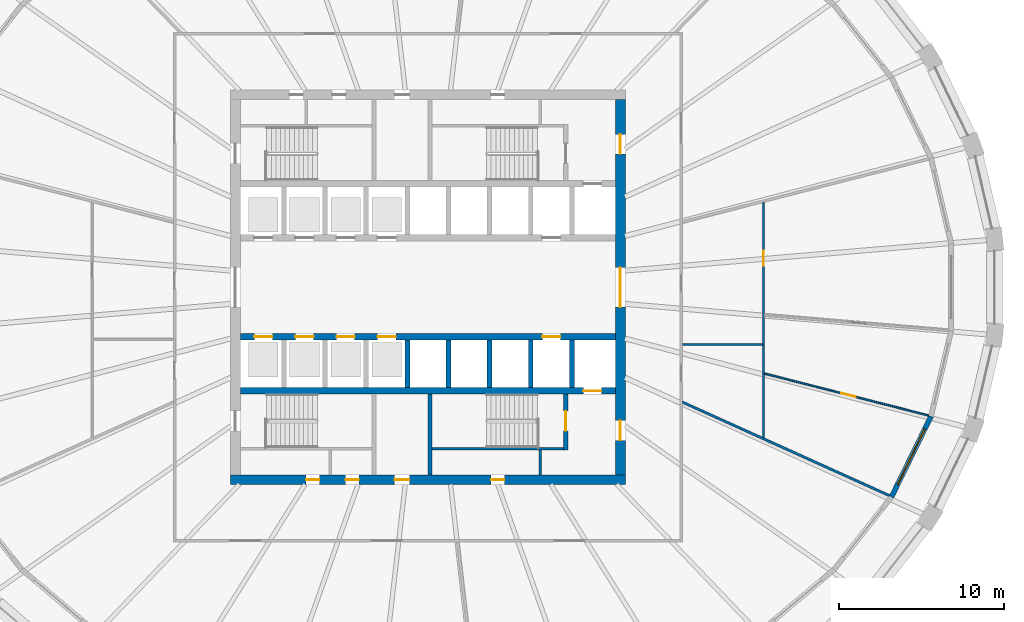
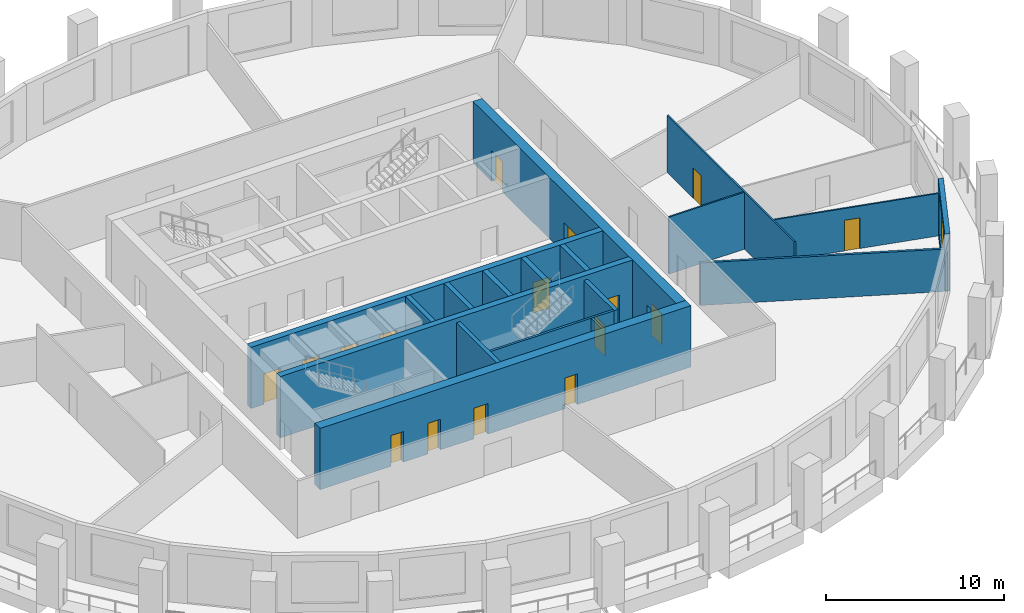
# One storey, part 4 of 10: 18 walls, 16 doors, 1 window, 17 openings.
"""IFC4 building model written with IfcOpenShell, lengths in metres."""

import ifcopenshell
import ifcopenshell.guid

model = None  # the IFC model being written
_history = None  # IfcOwnerHistory: only IFC2X3 demands one
_inside = {}  # id of a spatial element -> (the spatial element, [elements in it])
_under = {}  # id of a project, library or spatial element -> (it, [spatial elements below it])
_declared = {}  # id of a project -> (the project, [libraries it declares])
_typed = {}  # id of a type object -> (the type object, [elements of that type])
_made_of = {}  # id of a material, layer set ... -> (it, [elements and type objects made of it])


def new_model(schema):
    """Start an empty IFC model of exactly this schema.

    Asked for "IFC4X3", IfcOpenShell would pick the latest addendum, in which some entities
    have other attributes; the version numbers below select the first issue.
    IFC2X3 requires an IfcOwnerHistory on every rooted entity: one is made here for all.
    """
    global model, _history
    if schema == "IFC4X3":
        model = ifcopenshell.file(schema_version=(4, 3, 0, 0))
    else:
        model = ifcopenshell.file(schema=schema)
    _inside.clear()
    _under.clear()
    _declared.clear()
    _typed.clear()
    _made_of.clear()
    _history = None
    if model.schema == "IFC2X3":
        org = make("IfcOrganization", Name="unknown")
        user = make(
            "IfcPersonAndOrganization",
            ThePerson=make("IfcPerson", FamilyName="unknown"),
            TheOrganization=org,
        )
        app = make(
            "IfcApplication",
            ApplicationDeveloper=org,
            Version="unknown",
            ApplicationFullName="unknown",
            ApplicationIdentifier="unknown",
        )
        _history = make(
            "IfcOwnerHistory",
            OwningUser=user,
            OwningApplication=app,
            ChangeAction="ADDED",
            CreationDate=0,
        )
    return model


def make(cls, **values):
    """One entity of the class cls with the attributes given. An attribute that is None is left unset."""
    return model.create_entity(
        cls, **{name: value for name, value in values.items() if value is not None}
    )


def rooted(cls, **values):
    """An entity with a GlobalId (a new one), such as an element, a storey or a relation."""
    return make(cls, GlobalId=ifcopenshell.guid.new(), OwnerHistory=_history, **values)


def si_unit(unit_type, name, prefix=None):
    """IfcSIUnit, for example si_unit("LENGTHUNIT", "METRE", prefix="MILLI")."""
    return make("IfcSIUnit", UnitType=unit_type, Prefix=prefix, Name=name)


def assignment(units):
    """IfcUnitAssignment: the units of a project."""
    return None if units is None else make("IfcUnitAssignment", Units=units)


def point(xyz):
    """IfcCartesianPoint."""
    return None if xyz is None else make("IfcCartesianPoint", Coordinates=xyz)


def direction(xyz):
    """IfcDirection."""
    return None if xyz is None else make("IfcDirection", DirectionRatios=xyz)


def frame(location, z_axis=None, x_axis=None):
    """IfcAxis2Placement3D, a coordinate frame: its origin and axes. An axis left out is left unset."""
    return make(
        "IfcAxis2Placement3D",
        Location=point(location),
        Axis=direction(z_axis),
        RefDirection=direction(x_axis),
    )


def frame_2d(location, x_axis=None):
    """IfcAxis2Placement2D, a coordinate frame in the plane: its origin and x axis."""
    return make(
        "IfcAxis2Placement2D", Location=point(location), RefDirection=direction(x_axis)
    )


def origin():
    """The frame at (0, 0, 0) with its axes left unset."""
    return frame((0.0, 0.0, 0.0))


def place(relative_to, where):
    """IfcLocalPlacement: puts the frame where relative to a parent placement (None: the world)."""
    return make(
        "IfcLocalPlacement", PlacementRelTo=relative_to, RelativePlacement=where
    )


def context(
    kind, dimensions, precision=None, world=None, true_north=None, identifier=None
):
    """IfcGeometricRepresentationContext, for example the 3D "Model" context."""
    return make(
        "IfcGeometricRepresentationContext",
        ContextIdentifier=identifier,
        ContextType=kind,
        CoordinateSpaceDimension=dimensions,
        Precision=precision,
        WorldCoordinateSystem=world,
        TrueNorth=true_north,
    )


def subcontext(parent, identifier, kind, view, scale=None):
    """IfcGeometricRepresentationSubContext, for example "Body" below "Model"."""
    return make(
        "IfcGeometricRepresentationSubContext",
        ContextIdentifier=identifier,
        ContextType=kind,
        ParentContext=parent,
        TargetScale=scale,
        TargetView=view,
    )


def project(units=None, contexts=None):
    """IfcProject with its units and contexts."""
    return rooted(
        "IfcProject",
        Name="project",
        RepresentationContexts=contexts,
        UnitsInContext=assignment(units),
    )


def spatial(cls, under=None, at=None, **own):
    """A site, building, storey or space (cls), placed at a placement, below another one or the project."""
    s = rooted(cls, ObjectPlacement=at, **own)
    if under is not None:
        _under.setdefault(under.id(), (under, []))[1].append(s)
    return s


def polyline(points):
    """IfcPolyline through the points."""
    return make("IfcPolyline", Points=[point(p) for p in points])


def profile(cls, at=None, kind="AREA", **sizes):
    """A parametric profile (cls). Its sizes go by their IFC names, for example OverallWidth=200.0."""
    return make(cls, ProfileType=kind, Position=at, **sizes)


def rectangle(**sizes):
    """IfcRectangleProfileDef."""
    return profile("IfcRectangleProfileDef", **sizes)


def outline(outer, holes=None, kind="AREA"):
    """IfcArbitraryClosedProfileDef: a profile drawn as a closed curve; with holes, ...WithVoids."""
    if holes is None:
        return make("IfcArbitraryClosedProfileDef", ProfileType=kind, OuterCurve=outer)
    return make(
        "IfcArbitraryProfileDefWithVoids",
        ProfileType=kind,
        OuterCurve=outer,
        InnerCurves=holes,
    )


def extrude(swept, where, along, depth):
    """IfcExtrudedAreaSolid: the profile swept, set in the frame where, extruded along a direction by depth."""
    return make(
        "IfcExtrudedAreaSolid",
        SweptArea=swept,
        Position=where,
        ExtrudedDirection=direction(along),
        Depth=depth,
    )


def shape(context_of_items, identifier, shape_type, items):
    """IfcShapeRepresentation: the items that make up one representation, for example the "Body"."""
    return make(
        "IfcShapeRepresentation",
        ContextOfItems=context_of_items,
        RepresentationIdentifier=identifier,
        RepresentationType=shape_type,
        Items=items,
    )


def material(Name=None, Category=None):
    """IfcMaterial."""
    return make("IfcMaterial", Name=Name, Category=Category)


def layer(
    of_material, thickness, ventilated=None, Name=None, Category=None, Priority=None
):
    """IfcMaterialLayer: one layer of a wall or slab, of a material (None: an air gap)."""
    return make(
        "IfcMaterialLayer",
        Material=of_material,
        LayerThickness=thickness,
        IsVentilated=ventilated,
        Name=Name,
        Category=Category,
        Priority=Priority,
    )


def layer_set(layers, Name=None):
    """IfcMaterialLayerSet."""
    return make("IfcMaterialLayerSet", MaterialLayers=layers, LayerSetName=Name)


def made_of(thing, what):
    """Note that an element or type object is made of a material, layer set ...; save() writes the relation."""
    if what is not None:
        _made_of.setdefault(what.id(), (what, []))[1].append(thing)
    return thing


def type_object(cls, material=None, **own):
    """A type object (cls), such as IfcWallType, which elements share."""
    return made_of(rooted(cls, **own), material)


def element(
    cls,
    number,
    at=None,
    inside=None,
    cuts=None,
    type_object=None,
    material=None,
    context=None,
    identifier="Body",
    shape_type=None,
    held_by="IfcProductDefinitionShape",
    body=None,
    shapes=None,
    **own,
):
    """One element of the class cls, such as IfcWall. Its Tag is "e" and its number.

    at: its placement. inside: the storey or other place that contains it. cuts: it is an
    opening in that element (IfcRelVoidsElement). A single representation is given by context,
    identifier, shape_type and body (its items); several are given by shapes. held_by: the class
    of the entity that holds the representations. save() writes the other relations.
    """
    e = rooted(cls, Tag="e%d" % number, ObjectPlacement=at, **own)
    if body is not None:
        shapes = [shape(context, identifier, shape_type, body)]
    if shapes is not None:
        e.Representation = make(held_by, Representations=shapes)
    if inside is not None:
        _inside.setdefault(inside.id(), (inside, []))[1].append(e)
    if cuts is not None:
        rooted(
            "IfcRelVoidsElement", RelatingBuildingElement=cuts, RelatedOpeningElement=e
        )
    if type_object is not None:
        _typed.setdefault(type_object.id(), (type_object, []))[1].append(e)
    return made_of(e, material)


def fill(opening, filler):
    """IfcRelFillsElement: the door or window that sits in an opening."""
    return rooted(
        "IfcRelFillsElement",
        RelatingOpeningElement=opening,
        RelatedBuildingElement=filler,
    )


def aggregate(whole, parts):
    """IfcRelAggregates: a whole, such as a stair, and the parts it consists of."""
    return rooted("IfcRelAggregates", RelatingObject=whole, RelatedObjects=parts)


def save(model, path):
    """Write the relations noted so far, then the file.

    IfcRelAggregates (storeys below a building ...), IfcRelContainedInSpatialStructure (elements
    in a storey), IfcRelDefinesByType, IfcRelAssociatesMaterial and IfcRelDeclares: one each for
    every whole, place, type object, material and project.
    """
    for whole, parts in _under.values():
        aggregate(whole, parts)
    for where, things in _inside.values():
        rooted(
            "IfcRelContainedInSpatialStructure",
            RelatedElements=things,
            RelatingStructure=where,
        )
    for kind, things in _typed.values():
        rooted("IfcRelDefinesByType", RelatedObjects=things, RelatingType=kind)
    for what, things in _made_of.values():
        rooted("IfcRelAssociatesMaterial", RelatedObjects=things, RelatingMaterial=what)
    for by, libraries in _declared.values():
        rooted("IfcRelDeclares", RelatingContext=by, RelatedDefinitions=libraries)
    model.write(path)


model = new_model("IFC4")

# Units and contexts
model_context = context("Model", 3, precision=1e-05, world=origin(), true_north=direction((0.0, 1.0)))
body_context = subcontext(model_context, "Body", "Model", "MODEL_VIEW")
ifc_project = project(units=[si_unit("LENGTHUNIT", "METRE"), si_unit("AREAUNIT", "SQUARE_METRE"), si_unit("VOLUMEUNIT", "CUBIC_METRE"), si_unit("PLANEANGLEUNIT", "RADIAN"), si_unit("MASSUNIT", "GRAM", prefix="KILO")], contexts=[model_context])

# Site, building, storey
site_placement = place(None, origin())
site = spatial("IfcSite", under=ifc_project, at=site_placement, CompositionType="ELEMENT")
building_placement = place(site_placement, origin())
building = spatial("IfcBuilding", under=site, at=building_placement, Name="Halqa Exchange Tower", CompositionType="ELEMENT")
storey_placement = place(building_placement, frame((0.0, 0.0, 129.699951171875)))
storey = spatial("IfcBuildingStorey", under=building, at=storey_placement, Name="L29", CompositionType="ELEMENT", Elevation=129.699951171875)

# Walls
ifc_material_1 = material(Name="Fire-rated gypsum board")
ifc_layer_1 = layer(ifc_material_1, 0.14990234375)
ifc_layer_set_1 = layer_set([ifc_layer_1], Name="Fire-rated gypsum board")
wall_type_1 = type_object("IfcWallType", Name="Fire partition EI 60 150", PredefinedType="PARTITIONING", material=ifc_layer_set_1)
wall_1_placement = place(storey_placement, frame((15.444091796875, -6.969970703125, 0.0), z_axis=(0.0, 0.0, 1.0), x_axis=(0.911352660786, -0.411626441909, 0.0)))
element("IfcWall", 1, at=wall_1_placement, inside=storey, type_object=wall_type_1, Name="L29-PWL-014", PredefinedType="PARTITIONING", context=body_context, shape_type="SweptSolid", body=[
    extrude(outline(polyline([(0.06787109375, -0.074951171875), (2.03125, -0.074951171875), (3.994873046875, -0.074951171875), (5.958251953125, -0.074951171875), (7.921875, -0.074951171875), (9.885498046875, -0.074951171875), (11.848876953125, -0.074951171875), (13.8125, -0.074951171875), (13.83154296875, 0.0009765625), (13.833740234375, 0.073974609375), (13.833740234375, 0.074951171875), (12.137451171875, 0.074951171875), (10.44140625, 0.074951171875), (8.7451171875, 0.074951171875), (7.049072265625, 0.074951171875), (5.352783203125, 0.074951171875), (5.349853515625, 0.07373046875), (5.349365234375, 0.074951171875), (3.566162109375, 0.074951171875), (1.783203125, 0.074951171875), (0.0, 0.074951171875), (0.06787109375, -0.074951171875)])), origin(), (0.0, 0.0, 1.0), 2.91015625),
])
ifc_material_2 = material(Name="Gypsum board")
ifc_layer_2 = layer(ifc_material_2, 0.10009765625)
ifc_layer_set_2 = layer_set([ifc_layer_2], Name="Gypsum board")
wall_type_2 = type_object("IfcWallType", Name="Partition 100 gypsum", PredefinedType="PARTITIONING", material=ifc_layer_set_2)
wall_2_placement = place(storey_placement, frame((15.47509765625, -3.47998046875, 0.0), z_axis=(0.0, 0.0, 1.0), x_axis=(1.0, 0.0, 0.0)))
element("IfcWall", 2, at=wall_2_placement, inside=storey, type_object=wall_type_2, Name="L29-PWL-015", PredefinedType="PARTITIONING", context=body_context, shape_type="SweptSolid", body=[
    extrude(rectangle(XDim=4.875, YDim=0.10009765625, at=frame_2d((2.4375, 0.0))), origin(), (0.0, 0.0, 1.0), 3.900146484375),
])

# Wall, opening, door
wall_3_placement = place(storey_placement, frame((20.39990234375, -9.1484375, 0.0), z_axis=(0.0, 0.0, 1.0), x_axis=(0.0, 1.0, 0.0)))
wall_3 = element("IfcWall", 3, at=wall_3_placement, inside=storey, type_object=wall_type_2, Name="L29-PWL-018", PredefinedType="PARTITIONING", context=body_context, shape_type="SweptSolid", body=[
    extrude(outline(polyline([(0.0, -0.050048828125), (1.927001953125, -0.050048828125), (3.85400390625, -0.050048828125), (3.8544921875, -0.04833984375), (3.861328125, -0.050048828125), (5.603271484375, -0.050048828125), (7.344970703125, -0.050048828125), (9.086669921875, -0.050048828125), (10.828369140625, -0.050048828125), (12.5703125, -0.050048828125), (14.31201171875, -0.050048828125), (14.31201171875, -0.048828125), (14.286865234375, 0.050048828125), (12.572998046875, 0.050048828125), (10.859375, 0.050048828125), (9.145751953125, 0.050048828125), (7.43212890625, 0.050048828125), (5.718505859375, 0.050048828125), (5.718505859375, 0.0498046875), (5.618408203125, 0.0498046875), (5.618408203125, 0.050048828125), (3.7607421875, 0.050048828125), (1.90283203125, 0.050048828125), (0.044921875, 0.050048828125), (0.0, -0.049560546875), (0.0, -0.050048828125)])), origin(), (0.0, 0.0, 1.0), 3.900146484375),
])
opening_1_placement = place(wall_3_placement, frame((10.46337890625, 0.0, 0.0)))
opening_1 = element("IfcOpeningElement", 4, at=opening_1_placement, cuts=wall_3, Name="Opening 09-13", PredefinedType="OPENING", context=body_context, shape_type="SweptSolid", body=[
    extrude(rectangle(XDim=0.89990234375, YDim=2.10009765625, at=frame_2d((0.449951171875, 1.050048828125))), frame((0.0, 0.06201171875, 0.0), z_axis=(0.0, -1.0, 0.0), x_axis=(1.0, 0.0, 0.0)), (0.0, 0.0, 1.0), 0.1240234375),
])
ifc_material_3 = material(Name="Timber door leaf", Category="wood")
door_type_1 = type_object("IfcDoorType", Name="Door 900 x 2100", OperationType="SINGLE_SWING_LEFT", PredefinedType="DOOR", material=ifc_material_3)
door_1_placement = place(opening_1_placement, origin())
door_1 = element("IfcDoor", 5, at=door_1_placement, inside=storey, type_object=door_type_1, Name="L29-IDR-013", OperationType="SINGLE_SWING_LEFT", OverallHeight=2.10009765625, OverallWidth=0.89990234375, PredefinedType="DOOR", context=body_context, shape_type="SweptSolid", body=[
    extrude(rectangle(XDim=0.89990234375, YDim=2.10009765625, at=frame_2d((0.449951171875, 1.050048828125))), frame((0.0, 0.02490234375, 0.0), z_axis=(0.0, -1.0, 0.0), x_axis=(1.0, 0.0, 0.0)), (0.0, 0.0, 1.0), 0.050048828125),
])
fill(opening_1, door_1)

wall_4_placement = place(storey_placement, frame((20.437744140625, -5.23974609375, 0.0), z_axis=(0.0, 0.0, 1.0), x_axis=(0.968862785912, -0.247598267511, 0.0)))
wall_4 = element("IfcWall", 6, at=wall_4_placement, inside=storey, type_object=wall_type_2, Name="L29-PWL-019", PredefinedType="PARTITIONING", context=body_context, shape_type="SweptSolid", body=[
    extrude(outline(polyline([(0.025390625, -0.050048828125), (1.739501953125, -0.050048828125), (3.45361328125, -0.050048828125), (5.167724609375, -0.050048828125), (6.8818359375, -0.050048828125), (8.595947265625, -0.050048828125), (10.31005859375, -0.050048828125), (10.31884765625, -0.00830078125), (10.31884765625, 0.050048828125), (8.59912109375, 0.050048828125), (6.879150390625, 0.050048828125), (5.159423828125, 0.050048828125), (3.439697265625, 0.050048828125), (1.7197265625, 0.050048828125), (0.0, 0.050048828125), (0.0, 0.049560546875), (0.025390625, -0.050048828125)])), origin(), (0.0, 0.0, 1.0), 2.91015625),
])
opening_2_placement = place(wall_4_placement, frame((4.842041015625, 0.0, 0.0)))
opening_2 = element("IfcOpeningElement", 7, at=opening_2_placement, cuts=wall_4, Name="Opening 09-15", PredefinedType="OPENING", context=body_context, shape_type="SweptSolid", body=[
    extrude(rectangle(XDim=0.89990234375, YDim=2.10009765625, at=frame_2d((0.449951171875, 1.050048828125))), frame((0.0, 0.06201171875, 0.0), z_axis=(0.0, -1.0, 0.0), x_axis=(1.0, 0.0, 0.0)), (0.0, 0.0, 1.0), 0.1240234375),
])
door_2_placement = place(opening_2_placement, frame((0.89990234375, 0.0, 0.0), z_axis=(0.0, 0.0, 1.0), x_axis=(-1.0, 0.0, 0.0)))
door_2 = element("IfcDoor", 8, at=door_2_placement, inside=storey, type_object=door_type_1, Name="L29-IDR-015", OperationType="SINGLE_SWING_LEFT", OverallHeight=2.10009765625, OverallWidth=0.89990234375, PredefinedType="DOOR", context=body_context, shape_type="SweptSolid", body=[
    extrude(rectangle(XDim=0.89990234375, YDim=2.10009765625, at=frame_2d((0.449951171875, 1.050048828125))), frame((0.0, 0.02490234375, 0.0), z_axis=(0.0, -1.0, 0.0), x_axis=(1.0, 0.0, 0.0)), (0.0, 0.0, 1.0), 0.050048828125),
])
fill(opening_2, door_2)

# Walls
ifc_layer_3 = layer(ifc_material_2, 0.14990234375)
ifc_layer_set_3 = layer_set([ifc_layer_3], Name="Gypsum board")
wall_type_3 = type_object("IfcWallType", Name="Penthouse riser wall 150 gypsum", PredefinedType="PARTITIONING", material=ifc_layer_set_3)
wall_5_placement = place(storey_placement, frame((6.824951171875, -11.39990234375, 0.0), z_axis=(0.0, 0.0, 1.0), x_axis=(0.0, 1.0, 0.0)))
element("IfcWall", 9, at=wall_5_placement, inside=storey, type_object=wall_type_3, Name="Firefighting lobby west wall S", PredefinedType="PARTITIONING", context=body_context, shape_type="SweptSolid", body=[
    extrude(rectangle(XDim=1.5, YDim=0.14990234375, at=frame_2d((0.75, 0.0))), origin(), (0.0, 0.0, 1.0), 3.900146484375),
])
ifc_material_4 = material(Name="Concrete C60/75", Category="concrete")
ifc_layer_4 = layer(ifc_material_4, 0.300048828125)
ifc_layer_set_4 = layer_set([ifc_layer_4], Name="Concrete C60/75")
wall_type_4 = type_object("IfcWallType", Name="RC core wall 300", PredefinedType="SHEAR", material=ifc_layer_set_4)
for number, where, z_axis, x_axis, name in (
    (10, (-1.25, -6.10009765625, 0.0), (0.0, 0.0, 1.0), (0.0, 1.0, 0.0), "Shaft divider S4"),
    (11, (1.25, -6.10009765625, 0.0), (0.0, 0.0, 1.0), (0.0, 1.0, 0.0), "Shaft divider S5"),
    (12, (3.75, -6.10009765625, 0.0), (0.0, 0.0, 1.0), (0.0, 1.0, 0.0), "Shaft divider S6"),
    (13, (6.25, -6.10009765625, 0.0), (0.0, 0.0, 1.0), (0.0, 1.0, 0.0), "Shaft divider S7"),
    (14, (8.75, -6.10009765625, 0.0), (0.0, 0.0, 1.0), (0.0, 1.0, 0.0), "Shaft divider S8"),
):
    element("IfcWall", number, at=place(storey_placement, frame(where, z_axis=z_axis, x_axis=x_axis)), inside=storey, type_object=wall_type_4, Name=name, PredefinedType="SHEAR", context=body_context, shape_type="SweptSolid", body=[
        extrude(rectangle(XDim=2.900146484375, YDim=0.300048828125, at=frame_2d((1.4501953125, 0.0))), origin(), (0.0, 0.0, 1.0), 4.199951171875),
    ])

# Wall, openings, doors
ifc_material_5 = material(Name="Concrete C70/85", Category="concrete")
ifc_layer_5 = layer(ifc_material_5, 0.39990234375)
ifc_layer_set_5 = layer_set([ifc_layer_5], Name="Concrete C70/85")
wall_type_5 = type_object("IfcWallType", Name="RC core wall 400 C70/85", PredefinedType="SHEAR", material=ifc_layer_set_5)
wall_6_placement = place(storey_placement, frame((-11.39990234375, -3.0, 0.0), z_axis=(0.0, 0.0, 1.0), x_axis=(1.0, 0.0, 0.0)))
wall_6 = element("IfcWall", 15, at=wall_6_placement, inside=storey, type_object=wall_type_5, Name="Lift row front wall S", PredefinedType="SHEAR", context=body_context, shape_type="SweptSolid", body=[
    extrude(rectangle(XDim=22.7998046875, YDim=0.39990234375, at=frame_2d((11.39990234375, 0.0))), origin(), (0.0, 0.0, 1.0), 4.199951171875),
])
opening_3_placement = place(wall_6_placement, frame((0.85009765625, 0.0, 0.0)))
opening_3 = element("IfcOpeningElement", 16, at=opening_3_placement, cuts=wall_6, Name="Opening LD-LR5-T09", PredefinedType="OPENING", context=body_context, shape_type="SweptSolid", body=[
    extrude(rectangle(XDim=1.10009765625, YDim=2.10009765625, at=frame_2d((0.550048828125, 1.050048828125))), frame((0.0, 0.2119140625, 0.0), z_axis=(0.0, -1.0, 0.0), x_axis=(1.0, 0.0, 0.0)), (0.0, 0.0, 1.0), 0.423828125),
])
opening_4_placement = place(wall_6_placement, frame((3.35009765625, 0.0, 0.0)))
opening_4 = element("IfcOpeningElement", 17, at=opening_4_placement, cuts=wall_6, Name="Opening LD-LR6-T09", PredefinedType="OPENING", context=body_context, shape_type="SweptSolid", body=[
    extrude(rectangle(XDim=1.10009765625, YDim=2.10009765625, at=frame_2d((0.550048828125, 1.050048828125))), frame((0.0, 0.2119140625, 0.0), z_axis=(0.0, -1.0, 0.0), x_axis=(1.0, 0.0, 0.0)), (0.0, 0.0, 1.0), 0.423828125),
])
opening_5_placement = place(wall_6_placement, frame((5.85009765625, 0.0, 0.0)))
opening_5 = element("IfcOpeningElement", 18, at=opening_5_placement, cuts=wall_6, Name="Opening LD-LR7-T09", PredefinedType="OPENING", context=body_context, shape_type="SweptSolid", body=[
    extrude(rectangle(XDim=1.10009765625, YDim=2.10009765625, at=frame_2d((0.550048828125, 1.050048828125))), frame((0.0, 0.2119140625, 0.0), z_axis=(0.0, -1.0, 0.0), x_axis=(1.0, 0.0, 0.0)), (0.0, 0.0, 1.0), 0.423828125),
])
opening_6_placement = place(wall_6_placement, frame((8.35009765625, 0.0, 0.0)))
opening_6 = element("IfcOpeningElement", 19, at=opening_6_placement, cuts=wall_6, Name="Opening LD-LR8-T09", PredefinedType="OPENING", context=body_context, shape_type="SweptSolid", body=[
    extrude(rectangle(XDim=1.10009765625, YDim=2.10009765625, at=frame_2d((0.550048828125, 1.050048828125))), frame((0.0, 0.2119140625, 0.0), z_axis=(0.0, -1.0, 0.0), x_axis=(1.0, 0.0, 0.0)), (0.0, 0.0, 1.0), 0.423828125),
])
opening_7_placement = place(wall_6_placement, frame((18.35009765625, 0.0, 0.0)))
opening_7 = element("IfcOpeningElement", 20, at=opening_7_placement, cuts=wall_6, Name="Opening LD-SV2-T09", PredefinedType="OPENING", context=body_context, shape_type="SweptSolid", body=[
    extrude(rectangle(XDim=1.10009765625, YDim=2.10009765625, at=frame_2d((0.550048828125, 1.050048828125))), frame((0.0, 0.2119140625, 0.0), z_axis=(0.0, -1.0, 0.0), x_axis=(1.0, 0.0, 0.0)), (0.0, 0.0, 1.0), 0.423828125),
])
ifc_material_6 = material(Name="Stainless steel", Category="steel")
door_type_2 = type_object("IfcDoorType", Name="Lift landing door 1100 x 2100", OperationType="SLIDING_TO_LEFT", PredefinedType="DOOR", material=ifc_material_6)
door_3_placement = place(opening_3_placement, origin())
door_3 = element("IfcDoor", 21, at=door_3_placement, inside=storey, type_object=door_type_2, Name="Lift landing door LR5", OperationType="SLIDING_TO_LEFT", OverallHeight=2.10009765625, OverallWidth=1.10009765625, PredefinedType="DOOR", context=body_context, shape_type="SweptSolid", body=[
    extrude(rectangle(XDim=1.10009765625, YDim=2.10009765625, at=frame_2d((0.550048828125, 1.050048828125))), frame((0.0, 0.02490234375, 0.0), z_axis=(0.0, -1.0, 0.0), x_axis=(1.0, 0.0, 0.0)), (0.0, 0.0, 1.0), 0.050048828125),
])
fill(opening_3, door_3)
door_4_placement = place(opening_4_placement, origin())
door_4 = element("IfcDoor", 22, at=door_4_placement, inside=storey, type_object=door_type_2, Name="Lift landing door LR6", OperationType="SLIDING_TO_LEFT", OverallHeight=2.10009765625, OverallWidth=1.10009765625, PredefinedType="DOOR", context=body_context, shape_type="SweptSolid", body=[
    extrude(rectangle(XDim=1.10009765625, YDim=2.10009765625, at=frame_2d((0.550048828125, 1.050048828125))), frame((0.0, 0.02490234375, 0.0), z_axis=(0.0, -1.0, 0.0), x_axis=(1.0, 0.0, 0.0)), (0.0, 0.0, 1.0), 0.050048828125),
])
fill(opening_4, door_4)
door_5_placement = place(opening_5_placement, origin())
door_5 = element("IfcDoor", 23, at=door_5_placement, inside=storey, type_object=door_type_2, Name="Lift landing door LR7", OperationType="SLIDING_TO_LEFT", OverallHeight=2.10009765625, OverallWidth=1.10009765625, PredefinedType="DOOR", context=body_context, shape_type="SweptSolid", body=[
    extrude(rectangle(XDim=1.10009765625, YDim=2.10009765625, at=frame_2d((0.550048828125, 1.050048828125))), frame((0.0, 0.02490234375, 0.0), z_axis=(0.0, -1.0, 0.0), x_axis=(1.0, 0.0, 0.0)), (0.0, 0.0, 1.0), 0.050048828125),
])
fill(opening_5, door_5)
door_6_placement = place(opening_6_placement, origin())
door_6 = element("IfcDoor", 24, at=door_6_placement, inside=storey, type_object=door_type_2, Name="Lift landing door LR8", OperationType="SLIDING_TO_LEFT", OverallHeight=2.10009765625, OverallWidth=1.10009765625, PredefinedType="DOOR", context=body_context, shape_type="SweptSolid", body=[
    extrude(rectangle(XDim=1.10009765625, YDim=2.10009765625, at=frame_2d((0.550048828125, 1.050048828125))), frame((0.0, 0.02490234375, 0.0), z_axis=(0.0, -1.0, 0.0), x_axis=(1.0, 0.0, 0.0)), (0.0, 0.0, 1.0), 0.050048828125),
])
fill(opening_6, door_6)
door_7_placement = place(opening_7_placement, origin())
door_7 = element("IfcDoor", 25, at=door_7_placement, inside=storey, type_object=door_type_2, Name="Lift landing door SV2", OperationType="SLIDING_TO_LEFT", OverallHeight=2.10009765625, OverallWidth=1.10009765625, PredefinedType="DOOR", context=body_context, shape_type="SweptSolid", body=[
    extrude(rectangle(XDim=1.10009765625, YDim=2.10009765625, at=frame_2d((0.550048828125, 1.050048828125))), frame((0.0, 0.02490234375, 0.0), z_axis=(0.0, -1.0, 0.0), x_axis=(1.0, 0.0, 0.0)), (0.0, 0.0, 1.0), 0.050048828125),
])
fill(opening_7, door_7)

# Wall, opening, door
wall_7_placement = place(storey_placement, frame((-11.39990234375, -6.300048828125, 0.0), z_axis=(0.0, 0.0, 1.0), x_axis=(1.0, 0.0, 0.0)))
wall_7 = element("IfcWall", 26, at=wall_7_placement, inside=storey, type_object=wall_type_5, Name="Lift row back wall S", PredefinedType="SHEAR", context=body_context, shape_type="SweptSolid", body=[
    extrude(rectangle(XDim=22.7998046875, YDim=0.39990234375, at=frame_2d((11.39990234375, 0.0))), origin(), (0.0, 0.0, 1.0), 4.199951171875),
])
opening_8_placement = place(wall_7_placement, frame((20.85009765625, 0.0, 0.0)))
opening_8 = element("IfcOpeningElement", 27, at=opening_8_placement, cuts=wall_7, Name="Opening LD-FF2-T09", PredefinedType="OPENING", context=body_context, shape_type="SweptSolid", body=[
    extrude(rectangle(XDim=1.10009765625, YDim=2.10009765625, at=frame_2d((0.550048828125, 1.050048828125))), frame((0.0, 0.2119140625, 0.0), z_axis=(0.0, -1.0, 0.0), x_axis=(1.0, 0.0, 0.0)), (0.0, 0.0, 1.0), 0.423828125),
])
door_8_placement = place(opening_8_placement, origin())
door_8 = element("IfcDoor", 28, at=door_8_placement, inside=storey, type_object=door_type_2, Name="Lift landing door FF2", OperationType="SLIDING_TO_LEFT", OverallHeight=2.10009765625, OverallWidth=1.10009765625, PredefinedType="DOOR", context=body_context, shape_type="SweptSolid", body=[
    extrude(rectangle(XDim=1.10009765625, YDim=2.10009765625, at=frame_2d((0.550048828125, 1.050048828125))), frame((0.0, 0.02490234375, 0.0), z_axis=(0.0, -1.0, 0.0), x_axis=(1.0, 0.0, 0.0)), (0.0, 0.0, 1.0), 0.050048828125),
])
fill(opening_8, door_8)

# Wall, openings, doors
ifc_layer_6 = layer(ifc_material_5, 0.60009765625)
ifc_layer_set_6 = layer_set([ifc_layer_6], Name="Concrete C70/85")
wall_type_6 = type_object("IfcWallType", Name="RC core wall 600 C70/85", PredefinedType="SHEAR", material=ifc_layer_set_6)
wall_8_placement = place(storey_placement, frame((-12.0, -11.699951171875, 0.0), z_axis=(0.0, 0.0, 1.0), x_axis=(1.0, 0.0, 0.0)))
wall_8 = element("IfcWall", 29, at=wall_8_placement, inside=storey, type_object=wall_type_6, Name="Core wall south", PredefinedType="SHEAR", context=body_context, shape_type="SweptSolid", body=[
    extrude(rectangle(XDim=24.0, YDim=0.60009765625, at=frame_2d((12.0, 0.0))), origin(), (0.0, 0.0, 1.0), 4.199951171875),
])
opening_9_placement = place(wall_8_placement, frame((9.97509765625, 0.0, 0.0)))
opening_9 = element("IfcOpeningElement", 30, at=opening_9_placement, cuts=wall_8, Name="Opening T09-C25", PredefinedType="OPENING", context=body_context, shape_type="SweptSolid", body=[
    extrude(rectangle(XDim=0.89990234375, YDim=2.10009765625, at=frame_2d((0.449951171875, 1.050048828125))), frame((0.0, 0.31201171875, 0.0), z_axis=(0.0, -1.0, 0.0), x_axis=(1.0, 0.0, 0.0)), (0.0, 0.0, 1.0), 0.6240234375),
])
opening_10_placement = place(wall_8_placement, frame((4.60009765625, 0.0, 0.0)))
opening_10 = element("IfcOpeningElement", 31, at=opening_10_placement, cuts=wall_8, Name="Opening T09-C26", PredefinedType="OPENING", context=body_context, shape_type="SweptSolid", body=[
    extrude(rectangle(XDim=0.800048828125, YDim=2.10009765625, at=frame_2d((0.39990234375, 1.050048828125))), frame((0.0, 0.31201171875, 0.0), z_axis=(0.0, -1.0, 0.0), x_axis=(1.0, 0.0, 0.0)), (0.0, 0.0, 1.0), 0.6240234375),
])
opening_11_placement = place(wall_8_placement, frame((7.0, 0.0, 0.0)))
opening_11 = element("IfcOpeningElement", 32, at=opening_11_placement, cuts=wall_8, Name="Opening T09-C27", PredefinedType="OPENING", context=body_context, shape_type="SweptSolid", body=[
    extrude(rectangle(XDim=0.800048828125, YDim=2.10009765625, at=frame_2d((0.39990234375, 1.050048828125))), frame((0.0, 0.31201171875, 0.0), z_axis=(0.0, -1.0, 0.0), x_axis=(1.0, 0.0, 0.0)), (0.0, 0.0, 1.0), 0.6240234375),
])
opening_12_placement = place(wall_8_placement, frame((15.85009765625, 0.0, 0.0)))
opening_12 = element("IfcOpeningElement", 33, at=opening_12_placement, cuts=wall_8, Name="Opening T09-C28", PredefinedType="OPENING", context=body_context, shape_type="SweptSolid", body=[
    extrude(rectangle(XDim=0.800048828125, YDim=2.10009765625, at=frame_2d((0.39990234375, 1.050048828125))), frame((0.0, 0.31201171875, 0.0), z_axis=(0.0, -1.0, 0.0), x_axis=(1.0, 0.0, 0.0)), (0.0, 0.0, 1.0), 0.6240234375),
])
ifc_material_7 = material(Name="Timber fire door leaf", Category="wood")
door_type_3 = type_object("IfcDoorType", Name="Core room door FD30 900 x 2100", OperationType="SINGLE_SWING_LEFT", PredefinedType="DOOR", material=ifc_material_7)
door_9_placement = place(opening_9_placement, origin())
door_9 = element("IfcDoor", 34, at=door_9_placement, inside=storey, type_object=door_type_3, Name="Core room door", OperationType="SINGLE_SWING_RIGHT", OverallHeight=2.10009765625, OverallWidth=0.89990234375, PredefinedType="DOOR", context=body_context, shape_type="SweptSolid", body=[
    extrude(rectangle(XDim=0.89990234375, YDim=2.10009765625, at=frame_2d((0.449951171875, 1.050048828125))), frame((0.0, 0.02490234375, 0.0), z_axis=(0.0, -1.0, 0.0), x_axis=(1.0, 0.0, 0.0)), (0.0, 0.0, 1.0), 0.050048828125),
])
fill(opening_9, door_9)
ifc_material_8 = material(Name="Steel fire door leaf", Category="steel")
door_type_4 = type_object("IfcDoorType", Name="Riser door FD60 800 x 2100", OperationType="SINGLE_SWING_LEFT", PredefinedType="DOOR", material=ifc_material_8)
door_10_placement = place(opening_10_placement, origin())
door_10 = element("IfcDoor", 35, at=door_10_placement, inside=storey, type_object=door_type_4, Name="Core room door", OperationType="SINGLE_SWING_LEFT", OverallHeight=2.10009765625, OverallWidth=0.800048828125, PredefinedType="DOOR", context=body_context, shape_type="SweptSolid", body=[
    extrude(rectangle(XDim=0.800048828125, YDim=2.10009765625, at=frame_2d((0.39990234375, 1.050048828125))), frame((0.0, 0.02490234375, 0.0), z_axis=(0.0, -1.0, 0.0), x_axis=(1.0, 0.0, 0.0)), (0.0, 0.0, 1.0), 0.050048828125),
])
fill(opening_10, door_10)
door_11_placement = place(opening_11_placement, origin())
door_11 = element("IfcDoor", 36, at=door_11_placement, inside=storey, type_object=door_type_4, Name="Core room door", OperationType="SINGLE_SWING_RIGHT", OverallHeight=2.10009765625, OverallWidth=0.800048828125, PredefinedType="DOOR", context=body_context, shape_type="SweptSolid", body=[
    extrude(rectangle(XDim=0.800048828125, YDim=2.10009765625, at=frame_2d((0.39990234375, 1.050048828125))), frame((0.0, 0.02490234375, 0.0), z_axis=(0.0, -1.0, 0.0), x_axis=(1.0, 0.0, 0.0)), (0.0, 0.0, 1.0), 0.050048828125),
])
fill(opening_11, door_11)
door_12_placement = place(opening_12_placement, origin())
door_12 = element("IfcDoor", 37, at=door_12_placement, inside=storey, type_object=door_type_4, Name="Core room door", OperationType="SINGLE_SWING_LEFT", OverallHeight=2.10009765625, OverallWidth=0.800048828125, PredefinedType="DOOR", context=body_context, shape_type="SweptSolid", body=[
    extrude(rectangle(XDim=0.800048828125, YDim=2.10009765625, at=frame_2d((0.39990234375, 1.050048828125))), frame((0.0, 0.02490234375, 0.0), z_axis=(0.0, -1.0, 0.0), x_axis=(1.0, 0.0, 0.0)), (0.0, 0.0, 1.0), 0.050048828125),
])
fill(opening_12, door_12)

wall_9_placement = place(storey_placement, frame((11.699951171875, -11.39990234375, 0.0), z_axis=(0.0, 0.0, 1.0), x_axis=(0.0, 1.0, 0.0)))
wall_9 = element("IfcWall", 38, at=wall_9_placement, inside=storey, type_object=wall_type_6, Name="Core wall east", PredefinedType="SHEAR", context=body_context, shape_type="SweptSolid", body=[
    extrude(rectangle(XDim=22.7998046875, YDim=0.60009765625, at=frame_2d((11.39990234375, 0.0))), origin(), (0.0, 0.0, 1.0), 4.199951171875),
])
opening_13_placement = place(wall_9_placement, frame((10.199951171875, 0.0, 0.0)))
opening_13 = element("IfcOpeningElement", 39, at=opening_13_placement, cuts=wall_9, Name="Opening T09-C14", PredefinedType="OPENING", context=body_context, shape_type="SweptSolid", body=[
    extrude(rectangle(XDim=2.39990234375, YDim=2.10009765625, at=frame_2d((1.199951171875, 1.050048828125))), frame((0.0, 0.31201171875, 0.0), z_axis=(0.0, -1.0, 0.0), x_axis=(1.0, 0.0, 0.0)), (0.0, 0.0, 1.0), 0.6240234375),
])
opening_14_placement = place(wall_9_placement, frame((19.5, 0.0, 0.0)))
opening_14 = element("IfcOpeningElement", 40, at=opening_14_placement, cuts=wall_9, Name="Opening T09-C19", PredefinedType="OPENING", context=body_context, shape_type="SweptSolid", body=[
    extrude(rectangle(XDim=1.199951171875, YDim=2.10009765625, at=frame_2d((0.60009765625, 1.050048828125))), frame((0.0, 0.31201171875, 0.0), z_axis=(0.0, -1.0, 0.0), x_axis=(1.0, 0.0, 0.0)), (0.0, 0.0, 1.0), 0.6240234375),
])
opening_15_placement = place(wall_9_placement, frame((2.10009765625, 0.0, 0.0)))
opening_15 = element("IfcOpeningElement", 41, at=opening_15_placement, cuts=wall_9, Name="Opening T09-C20", PredefinedType="OPENING", context=body_context, shape_type="SweptSolid", body=[
    extrude(rectangle(XDim=1.199951171875, YDim=2.10009765625, at=frame_2d((0.60009765625, 1.050048828125))), frame((0.0, 0.31201171875, 0.0), z_axis=(0.0, -1.0, 0.0), x_axis=(1.0, 0.0, 0.0)), (0.0, 0.0, 1.0), 0.6240234375),
])
door_type_5 = type_object("IfcDoorType", Name="Firefighting lobby door FD90 1200 x 2100", OperationType="SINGLE_SWING_RIGHT", PredefinedType="DOOR", material=ifc_material_8)
door_13_placement = place(opening_14_placement, origin())
door_13 = element("IfcDoor", 42, at=door_13_placement, inside=storey, type_object=door_type_5, Name="Firefighting lobby door", OperationType="SINGLE_SWING_RIGHT", OverallHeight=2.10009765625, OverallWidth=1.199951171875, PredefinedType="DOOR", context=body_context, shape_type="SweptSolid", body=[
    extrude(rectangle(XDim=1.199951171875, YDim=2.10009765625, at=frame_2d((0.60009765625, 1.050048828125))), frame((0.0, 0.02490234375, 0.0), z_axis=(0.0, -1.0, 0.0), x_axis=(1.0, 0.0, 0.0)), (0.0, 0.0, 1.0), 0.050048828125),
])
fill(opening_14, door_13)
door_14_placement = place(opening_15_placement, origin())
door_14 = element("IfcDoor", 43, at=door_14_placement, inside=storey, type_object=door_type_5, Name="Firefighting lobby door", OperationType="SINGLE_SWING_LEFT", OverallHeight=2.10009765625, OverallWidth=1.199951171875, PredefinedType="DOOR", context=body_context, shape_type="SweptSolid", body=[
    extrude(rectangle(XDim=1.199951171875, YDim=2.10009765625, at=frame_2d((0.60009765625, 1.050048828125))), frame((0.0, 0.02490234375, 0.0), z_axis=(0.0, -1.0, 0.0), x_axis=(1.0, 0.0, 0.0)), (0.0, 0.0, 1.0), 0.050048828125),
])
fill(opening_15, door_14)
door_type_6 = type_object("IfcDoorType", Name="Lobby double door FD60 2400 x 2100", OperationType="DOUBLE_DOOR_SINGLE_SWING", PredefinedType="DOOR", material=ifc_material_8)
door_15_placement = place(opening_13_placement, origin())
door_15 = element("IfcDoor", 44, at=door_15_placement, inside=storey, type_object=door_type_6, Name="Lift lobby double door", OperationType="DOUBLE_DOOR_SINGLE_SWING", OverallHeight=2.10009765625, OverallWidth=2.39990234375, PredefinedType="DOOR", context=body_context, shape_type="SweptSolid", body=[
    extrude(rectangle(XDim=2.39990234375, YDim=2.10009765625, at=frame_2d((1.199951171875, 1.050048828125))), frame((0.0, 0.02490234375, 0.0), z_axis=(0.0, -1.0, 0.0), x_axis=(1.0, 0.0, 0.0)), (0.0, 0.0, 1.0), 0.050048828125),
])
fill(opening_13, door_15)

# Walls
ifc_material_9 = material(Name="Concrete C30/37", Category="concrete")
ifc_layer_7 = layer(ifc_material_9, 0.14990234375)
ifc_layer_set_7 = layer_set([ifc_layer_7], Name="Concrete C30/37")
wall_type_7 = type_object("IfcWallType", Name="RC stair wall 150 C30/37", PredefinedType="SHEAR", material=ifc_layer_set_7)
wall_10_placement = place(storey_placement, frame((0.25, -9.824951171875, 0.0), z_axis=(0.0, 0.0, 1.0), x_axis=(1.0, 0.0, 0.0)))
element("IfcWall", 45, at=wall_10_placement, inside=storey, type_object=wall_type_7, Name="Stair ST2 north wall S", PredefinedType="SHEAR", context=body_context, shape_type="SweptSolid", body=[
    extrude(rectangle(XDim=8.0, YDim=0.14990234375, at=frame_2d((4.0, 0.0))), origin(), (0.0, 0.0, 1.0), 3.900146484375),
])
ifc_layer_8 = layer(ifc_material_9, 0.25)
ifc_layer_set_8 = layer_set([ifc_layer_8], Name="Concrete C30/37")
wall_type_8 = type_object("IfcWallType", Name="RC stair wall 250 C30/37", PredefinedType="SHEAR", material=ifc_layer_set_8)
wall_11_placement = place(storey_placement, frame((0.125, -11.39990234375, 0.0), z_axis=(0.0, 0.0, 1.0), x_axis=(0.0, 1.0, 0.0)))
element("IfcWall", 46, at=wall_11_placement, inside=storey, type_object=wall_type_8, Name="Stair ST2 west wall S", PredefinedType="SHEAR", context=body_context, shape_type="SweptSolid", body=[
    extrude(rectangle(XDim=4.89990234375, YDim=0.25, at=frame_2d((2.449951171875, 0.0))), origin(), (0.0, 0.0, 1.0), 3.900146484375),
])

# Wall, opening, door
wall_12_placement = place(storey_placement, frame((8.375, -9.89990234375, 0.0), z_axis=(0.0, 0.0, 1.0), x_axis=(0.0, 1.0, 0.0)))
wall_12 = element("IfcWall", 47, at=wall_12_placement, inside=storey, type_object=wall_type_8, Name="Stair ST2 east wall S", PredefinedType="SHEAR", context=body_context, shape_type="SweptSolid", body=[
    extrude(rectangle(XDim=3.39990234375, YDim=0.25, at=frame_2d((1.699951171875, 0.0))), origin(), (0.0, 0.0, 1.0), 3.900146484375),
])
opening_16_placement = place(wall_12_placement, frame((1.175048828125, 0.0, 0.0)))
opening_16 = element("IfcOpeningElement", 48, at=opening_16_placement, cuts=wall_12, Name="Opening T09-C18", PredefinedType="OPENING", context=body_context, shape_type="SweptSolid", body=[
    extrude(rectangle(XDim=1.199951171875, YDim=2.10009765625, at=frame_2d((0.60009765625, 1.050048828125))), frame((0.0, 0.136962890625, 0.0), z_axis=(0.0, -1.0, 0.0), x_axis=(1.0, 0.0, 0.0)), (0.0, 0.0, 1.0), 0.27392578125),
])
door_type_7 = type_object("IfcDoorType", Name="Stair door FD90 1200 x 2100", OperationType="SINGLE_SWING_LEFT", PredefinedType="DOOR", material=ifc_material_8)
door_16_placement = place(opening_16_placement, origin())
door_16 = element("IfcDoor", 49, at=door_16_placement, inside=storey, type_object=door_type_7, Name="Stair door ST4", OperationType="SINGLE_SWING_RIGHT", OverallHeight=2.10009765625, OverallWidth=1.199951171875, PredefinedType="DOOR", context=body_context, shape_type="SweptSolid", body=[
    extrude(rectangle(XDim=1.199951171875, YDim=2.10009765625, at=frame_2d((0.60009765625, 1.050048828125))), frame((0.0, 0.02490234375, 0.0), z_axis=(0.0, -1.0, 0.0), x_axis=(1.0, 0.0, 0.0)), (0.0, 0.0, 1.0), 0.050048828125),
])
fill(opening_16, door_16)

# Wall, opening, window
ifc_material_10 = material(Name="Limestone cladding", Category="masonry")
ifc_layer_9 = layer(ifc_material_10, 0.0400390625)
ifc_material_11 = material(Name="Ventilated cavity")
ifc_layer_10 = layer(ifc_material_11, 0.030029296875, ventilated=True)
ifc_material_12 = material(Name="Mineral wool insulation")
ifc_layer_11 = layer(ifc_material_12, 0.10009765625)
ifc_layer_12 = layer(ifc_material_9, 0.10009765625)
ifc_material_13 = material(Name="Internal plaster")
ifc_layer_13 = layer(ifc_material_13, 0.030029296875)
ifc_layer_set_9 = layer_set([ifc_layer_9, ifc_layer_10, ifc_layer_11, ifc_layer_12, ifc_layer_13], Name="Stone-faced insulated wall 300")
wall_type_9 = type_object("IfcWallType", Name="Stone-faced insulated wall 300", PredefinedType="STANDARD", material=ifc_layer_set_9)
wall_13_placement = place(storey_placement, frame((28.177490234375, -12.742919921875, 0.0), z_axis=(0.0, 0.0, 1.0), x_axis=(0.440321465864, 0.897840189956, 0.0)))
wall_13 = element("IfcWall", 50, at=wall_13_placement, inside=storey, type_object=wall_type_9, Name="Glass-line wall 30", PredefinedType="STANDARD", context=body_context, shape_type="SweptSolid", body=[
    extrude(outline(polyline([(-0.01611328125, -0.14990234375), (5.46826171875, -0.14990234375), (5.4345703125, 0.14990234375), (0.01611328125, 0.14990234375), (-0.01611328125, -0.14990234375)])), origin(), (0.0, 0.0, 1.0), 3.900146484375),
])
opening_17_placement = place(wall_13_placement, frame((0.850830078125, 0.0, 0.60009765625)))
opening_17 = element("IfcOpeningElement", 51, at=opening_17_placement, cuts=wall_13, Name="Opening W-F2-30", PredefinedType="OPENING", context=body_context, shape_type="SweptSolid", body=[
    extrude(rectangle(XDim=3.75, YDim=2.85009765625, at=frame_2d((1.875, 1.425048828125))), frame((0.0, 0.162109375, 0.0), z_axis=(0.0, -1.0, 0.0), x_axis=(1.0, 0.0, 0.0)), (0.0, 0.0, 1.0), 0.323974609375),
])
ifc_material_14 = material(Name="Clear low-emissivity glass in aluminium frame", Category="aluminium")
window_type = type_object("IfcWindowType", Name="Fixed clear glazed window 3750 x 2850", PartitioningType="TRIPLE_PANEL_VERTICAL", PredefinedType="WINDOW", material=ifc_material_14)
window_placement = place(opening_17_placement, origin())
window = element("IfcWindow", 52, at=window_placement, inside=storey, type_object=window_type, Name="Window 2", OverallHeight=2.85009765625, OverallWidth=3.75, PartitioningType="TRIPLE_PANEL_VERTICAL", PredefinedType="WINDOW", context=body_context, shape_type="SweptSolid", body=[
    extrude(rectangle(XDim=3.75, YDim=2.85009765625, at=frame_2d((1.875, 1.425048828125))), frame((0.0, 0.030029296875, 0.0), z_axis=(0.0, -1.0, 0.0), x_axis=(1.0, 0.0, 0.0)), (0.0, 0.0, 1.0), 0.06005859375),
])
fill(opening_17, window)

save(model, "model.ifc")
